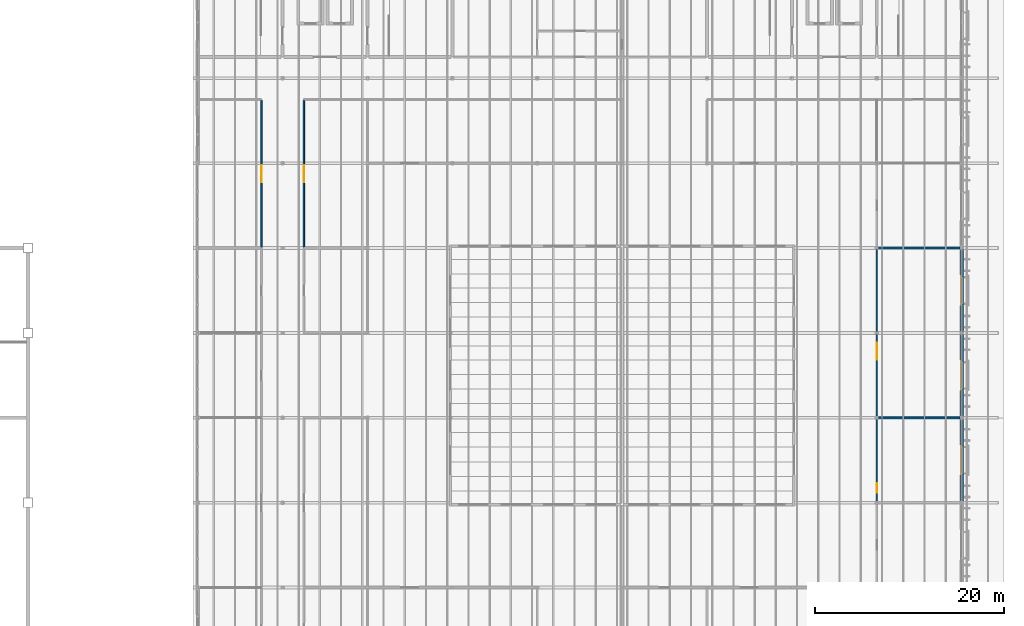
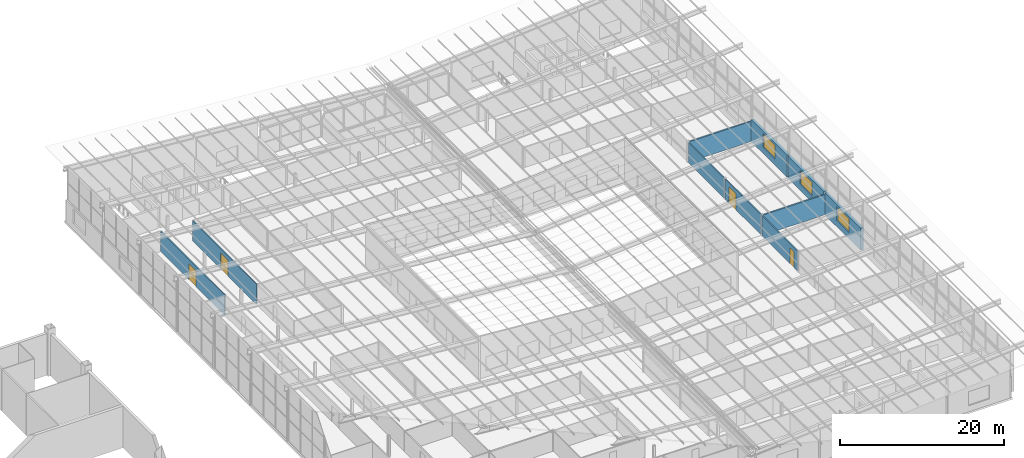
# One storey, part 74 of 85: 10 walls, 4 doors, 3 windows, 7 openings.
"""IFC4 building model written with IfcOpenShell, lengths in metres."""

from ifc_helpers import new_model, si_unit, direction, frame, frame_2d, origin, place, context, subcontext, project, spatial, rectangle, extrude, material, layer, layer_set, type_object, element, fill, save


model = new_model("IFC4")

# Units and contexts
model_context = context("Model", 3, precision=1e-05, world=origin(), true_north=direction((0.0, 1.0)))
body_context = subcontext(model_context, "Body", "Model", "MODEL_VIEW")
ifc_project = project(units=[si_unit("LENGTHUNIT", "METRE"), si_unit("AREAUNIT", "SQUARE_METRE"), si_unit("VOLUMEUNIT", "CUBIC_METRE"), si_unit("PLANEANGLEUNIT", "RADIAN"), si_unit("MASSUNIT", "GRAM", prefix="KILO")], contexts=[model_context])

# Site, building, storey
site_placement = place(None, origin())
site = spatial("IfcSite", under=ifc_project, at=site_placement, CompositionType="ELEMENT")
building_placement = place(site_placement, origin())
building = spatial("IfcBuilding", under=site, at=building_placement, Name="Opaline Strait Convention Centre", CompositionType="ELEMENT")
storey_placement = place(building_placement, frame((0.0, 0.0, 17.0)))
storey = spatial("IfcBuildingStorey", under=building, at=storey_placement, Name="L03", CompositionType="ELEMENT", Elevation=17.0)

# Walls
ifc_material_1 = material(Name="Gypsum board")
ifc_layer_1 = layer(ifc_material_1, 0.050048828125)
ifc_material_2 = material(Name="Steel stud and mineral wool", Category="steel")
ifc_layer_2 = layer(ifc_material_2, 0.10009765625)
ifc_layer_3 = layer(ifc_material_1, 0.050048828125)
ifc_layer_set_1 = layer_set([ifc_layer_1, ifc_layer_2, ifc_layer_3], Name="Gypsum board, Steel stud and mineral wool, Gypsum board")
wall_type_1 = type_object("IfcWallType", Name="Acoustic partition 200 EI45", PredefinedType="PARTITIONING", material=ifc_layer_set_1)
for number, where, z_axis, x_axis, name in (
    (1, (351.14990234375, 135.0, 0.0), (0.0, 0.0, 1.0), (1.0, 0.0, 0.0), "MPW5 partition Breakout Room 3.22 N"),
    (2, (351.14990234375, 153.0, 0.0), (0.0, 0.0, 1.0), (1.0, 0.0, 0.0), "MPW5 partition Meeting Room 3.23 N"),
):
    element("IfcWall", number, at=place(storey_placement, frame(where, z_axis=z_axis, x_axis=x_axis)), inside=storey, type_object=wall_type_1, Name=name, PredefinedType="PARTITIONING", context=body_context, shape_type="SweptSolid", body=[
        extrude(rectangle(XDim=8.7001953125, YDim=0.199951171875, at=frame_2d((4.35009765625, 0.0))), origin(), (0.0, 0.0, 1.0), 3.0),
    ])

# Wall, opening, door
ifc_layer_4 = layer(ifc_material_1, 0.032470703125)
ifc_layer_5 = layer(ifc_material_2, 0.0849609375)
ifc_layer_6 = layer(ifc_material_1, 0.032470703125)
ifc_layer_set_2 = layer_set([ifc_layer_4, ifc_layer_5, ifc_layer_6], Name="Gypsum board, Steel stud and mineral wool, Gypsum board")
wall_type_2 = type_object("IfcWallType", Name="Corridor partition 150 EI60", PredefinedType="PARTITIONING", material=ifc_layer_set_2)
wall_1_placement = place(storey_placement, frame((285.75, 153.10009765625, 0.0), z_axis=(0.0, 0.0, 1.0), x_axis=(0.0, 1.0, 0.0)))
wall_1 = element("IfcWall", 3, at=wall_1_placement, inside=storey, type_object=wall_type_2, Name="MPW1 partition Meeting Room 3.06 E", PredefinedType="PARTITIONING", context=body_context, shape_type="SweptSolid", body=[
    extrude(rectangle(XDim=15.574951171875, YDim=0.14990234375, at=frame_2d((7.78759765625, 0.0))), origin(), (0.0, 0.0, 1.0), 3.0),
])
opening_1_placement = place(wall_1_placement, frame((6.887451171875, 0.0, 0.0)))
opening_1 = element("IfcOpeningElement", 4, at=opening_1_placement, cuts=wall_1, Name="Opening M3-026", PredefinedType="OPENING", context=body_context, shape_type="SweptSolid", body=[
    extrude(rectangle(XDim=1.800048828125, YDim=2.39990234375, at=frame_2d((0.89990234375, 1.199951171875))), frame((0.0, 0.0849609375, 0.0), z_axis=(0.0, -1.0, 0.0), x_axis=(1.0, 0.0, 0.0)), (0.0, 0.0, 1.0), 0.169921875),
])
ifc_material_3 = material(Name="Solid-core timber leaf, steel frame door set", Category="steel")
door_type_1 = type_object("IfcDoorType", Name="Meeting room double door FD30 1800 x 2400", OperationType="DOUBLE_DOOR_SINGLE_SWING", PredefinedType="DOOR", material=ifc_material_3)
door_1_placement = place(opening_1_placement, frame((1.800048828125, 0.0, 0.0), z_axis=(0.0, 0.0, 1.0), x_axis=(-1.0, 0.0, 0.0)))
door_1 = element("IfcDoor", 5, at=door_1_placement, inside=storey, type_object=door_type_1, Name="Door Meeting Room 3.06", ObjectType="MD7", OperationType="DOUBLE_DOOR_SINGLE_SWING", OverallHeight=2.39990234375, OverallWidth=1.800048828125, PredefinedType="DOOR", context=body_context, shape_type="SweptSolid", body=[
    extrude(rectangle(XDim=1.800048828125, YDim=2.39990234375, at=frame_2d((0.89990234375, 1.199951171875))), frame((0.0, 0.02490234375, 0.0), z_axis=(0.0, -1.0, 0.0), x_axis=(1.0, 0.0, 0.0)), (0.0, 0.0, 1.0), 0.050048828125),
])
fill(opening_1, door_1)

wall_2_placement = place(storey_placement, frame((290.25, 153.10009765625, 0.0), z_axis=(0.0, 0.0, 1.0), x_axis=(0.0, 1.0, 0.0)))
wall_2 = element("IfcWall", 6, at=wall_2_placement, inside=storey, type_object=wall_type_2, Name="MPW1 partition Meeting Room 3.11 W", PredefinedType="PARTITIONING", context=body_context, shape_type="SweptSolid", body=[
    extrude(rectangle(XDim=15.574951171875, YDim=0.14990234375, at=frame_2d((7.78759765625, 0.0))), origin(), (0.0, 0.0, 1.0), 3.0),
])
opening_2_placement = place(wall_2_placement, frame((6.887451171875, 0.0, 0.0)))
opening_2 = element("IfcOpeningElement", 7, at=opening_2_placement, cuts=wall_2, Name="Opening M3-031", PredefinedType="OPENING", context=body_context, shape_type="SweptSolid", body=[
    extrude(rectangle(XDim=1.800048828125, YDim=2.39990234375, at=frame_2d((0.89990234375, 1.199951171875))), frame((0.0, 0.0849609375, 0.0), z_axis=(0.0, -1.0, 0.0), x_axis=(1.0, 0.0, 0.0)), (0.0, 0.0, 1.0), 0.169921875),
])
door_2_placement = place(opening_2_placement, origin())
door_2 = element("IfcDoor", 8, at=door_2_placement, inside=storey, type_object=door_type_1, Name="Door Meeting Room 3.11", ObjectType="MD7", OperationType="DOUBLE_DOOR_SINGLE_SWING", OverallHeight=2.39990234375, OverallWidth=1.800048828125, PredefinedType="DOOR", context=body_context, shape_type="SweptSolid", body=[
    extrude(rectangle(XDim=1.800048828125, YDim=2.39990234375, at=frame_2d((0.89990234375, 1.199951171875))), frame((0.0, 0.02490234375, 0.0), z_axis=(0.0, -1.0, 0.0), x_axis=(1.0, 0.0, 0.0)), (0.0, 0.0, 1.0), 0.050048828125),
])
fill(opening_2, door_2)

wall_3_placement = place(storey_placement, frame((351.0, 126.14990234375, 0.0), z_axis=(0.0, 0.0, 1.0), x_axis=(0.0, 1.0, 0.0)))
wall_3 = element("IfcWall", 9, at=wall_3_placement, inside=storey, type_object=wall_type_2, Name="MPW1 partition Breakout Room 3.22 W", PredefinedType="PARTITIONING", context=body_context, shape_type="SweptSolid", body=[
    extrude(rectangle(XDim=8.7001953125, YDim=0.14990234375, at=frame_2d((4.35009765625, 0.0))), origin(), (0.0, 0.0, 1.0), 3.0),
])
opening_3_placement = place(wall_3_placement, frame((0.89990234375, 0.0, 0.0)))
opening_3 = element("IfcOpeningElement", 10, at=opening_3_placement, cuts=wall_3, Name="Opening M3-042", PredefinedType="OPENING", context=body_context, shape_type="SweptSolid", body=[
    extrude(rectangle(XDim=1.0, YDim=2.39990234375, at=frame_2d((0.5, 1.199951171875))), frame((0.0, 0.0849609375, 0.0), z_axis=(0.0, -1.0, 0.0), x_axis=(1.0, 0.0, 0.0)), (0.0, 0.0, 1.0), 0.169921875),
])
door_type_2 = type_object("IfcDoorType", Name="Meeting room door FD30 1000 x 2400", OperationType="SINGLE_SWING_LEFT", PredefinedType="DOOR", material=ifc_material_3)
door_3_placement = place(opening_3_placement, origin())
door_3 = element("IfcDoor", 11, at=door_3_placement, inside=storey, type_object=door_type_2, Name="Door Breakout Room 3.22", ObjectType="MD8", OperationType="SINGLE_SWING_LEFT", OverallHeight=2.39990234375, OverallWidth=1.0, PredefinedType="DOOR", context=body_context, shape_type="SweptSolid", body=[
    extrude(rectangle(XDim=1.0, YDim=2.39990234375, at=frame_2d((0.5, 1.199951171875))), frame((0.0, 0.02490234375, 0.0), z_axis=(0.0, -1.0, 0.0), x_axis=(1.0, 0.0, 0.0)), (0.0, 0.0, 1.0), 0.050048828125),
])
fill(opening_3, door_3)

wall_4_placement = place(storey_placement, frame((351.0, 135.14990234375, 0.0), z_axis=(0.0, 0.0, 1.0), x_axis=(0.0, 1.0, 0.0)))
wall_4 = element("IfcWall", 12, at=wall_4_placement, inside=storey, type_object=wall_type_2, Name="MPW1 partition Meeting Room 3.23 W", PredefinedType="PARTITIONING", context=body_context, shape_type="SweptSolid", body=[
    extrude(rectangle(XDim=8.7001953125, YDim=0.14990234375, at=frame_2d((4.35009765625, 0.0))), origin(), (0.0, 0.0, 1.0), 3.0),
])
opening_4_placement = place(wall_4_placement, frame((6.000244140625, 0.0, 0.0)))
opening_4 = element("IfcOpeningElement", 13, at=opening_4_placement, cuts=wall_4, Name="Opening M3-043", PredefinedType="OPENING", context=body_context, shape_type="SweptSolid", body=[
    extrude(rectangle(XDim=1.800048828125, YDim=2.39990234375, at=frame_2d((0.89990234375, 1.199951171875))), frame((0.0, 0.0849609375, 0.0), z_axis=(0.0, -1.0, 0.0), x_axis=(1.0, 0.0, 0.0)), (0.0, 0.0, 1.0), 0.169921875),
])
door_4_placement = place(opening_4_placement, origin())
door_4 = element("IfcDoor", 14, at=door_4_placement, inside=storey, type_object=door_type_1, Name="Door Meeting Room 3.23", ObjectType="MD7", OperationType="DOUBLE_DOOR_SINGLE_SWING", OverallHeight=2.39990234375, OverallWidth=1.800048828125, PredefinedType="DOOR", context=body_context, shape_type="SweptSolid", body=[
    extrude(rectangle(XDim=1.800048828125, YDim=2.39990234375, at=frame_2d((0.89990234375, 1.199951171875))), frame((0.0, 0.02490234375, 0.0), z_axis=(0.0, -1.0, 0.0), x_axis=(1.0, 0.0, 0.0)), (0.0, 0.0, 1.0), 0.050048828125),
])
fill(opening_4, door_4)

# Wall
wall_5_placement = place(storey_placement, frame((351.0, 144.14990234375, 0.0), z_axis=(0.0, 0.0, 1.0), x_axis=(0.0, 1.0, 0.0)))
element("IfcWall", 15, at=wall_5_placement, inside=storey, type_object=wall_type_2, Name="MPW1 partition Meeting Room 3.23 W", PredefinedType="PARTITIONING", context=body_context, shape_type="SweptSolid", body=[
    extrude(rectangle(XDim=8.7001953125, YDim=0.14990234375, at=frame_2d((4.35009765625, 0.0))), origin(), (0.0, 0.0, 1.0), 3.0),
])

# Wall, opening, window
ifc_material_4 = material(Name="Concrete C40 precast", Category="concrete")
ifc_layer_7 = layer(ifc_material_4, 0.10009765625)
ifc_material_5 = material(Name="Mineral wool insulation")
ifc_layer_8 = layer(ifc_material_5, 0.14990234375)
ifc_layer_9 = layer(ifc_material_4, 0.14990234375)
ifc_layer_set_3 = layer_set([ifc_layer_7, ifc_layer_8, ifc_layer_9], Name="Concrete C40 precast, Mineral wool insulation, Concrete C40 precast")
wall_type_3 = type_object("IfcWallType", Name="External wall 400 insulated precast EI60", PredefinedType="STANDARD", material=ifc_layer_set_3)
wall_6_placement = place(storey_placement, frame((360.0, 126.14990234375, 0.0), z_axis=(0.0, 0.0, 1.0), x_axis=(0.0, 1.0, 0.0)))
wall_6 = element("IfcWall", 16, at=wall_6_placement, inside=storey, type_object=wall_type_3, Name="External wall E L03 41/Q", PredefinedType="STANDARD", context=body_context, shape_type="SweptSolid", body=[
    extrude(rectangle(XDim=8.7001953125, YDim=0.39990234375, at=frame_2d((4.35009765625, 0.0))), origin(), (0.0, 0.0, 1.0), 3.300048828125),
])
opening_5_placement = place(wall_6_placement, frame((2.85009765625, 0.0, 0.89990234375)))
opening_5 = element("IfcOpeningElement", 17, at=opening_5_placement, cuts=wall_6, Name="Opening MW2", PredefinedType="OPENING", context=body_context, shape_type="SweptSolid", body=[
    extrude(rectangle(XDim=3.0, YDim=2.10009765625, at=frame_2d((1.5, 1.050048828125))), frame((0.0, 0.2099609375, 0.0), z_axis=(0.0, -1.0, 0.0), x_axis=(1.0, 0.0, 0.0)), (0.0, 0.0, 1.0), 0.419921875),
])
ifc_material_6 = material(Name="Aluminium framed double glazing", Category="aluminium")
window_type = type_object("IfcWindowType", Name="Window 3000 x 2100", PartitioningType="TRIPLE_PANEL_VERTICAL", PredefinedType="WINDOW", material=ifc_material_6)
window_1_placement = place(opening_5_placement, origin())
window_1 = element("IfcWindow", 18, at=window_1_placement, inside=storey, type_object=window_type, Name="Window Breakout Room 3.22 E", OverallHeight=2.10009765625, OverallWidth=3.0, PartitioningType="TRIPLE_PANEL_VERTICAL", PredefinedType="WINDOW", context=body_context, shape_type="SweptSolid", body=[
    extrude(rectangle(XDim=3.0, YDim=2.10009765625, at=frame_2d((1.5, 1.050048828125))), frame((0.0, 0.030029296875, 0.0), z_axis=(0.0, -1.0, 0.0), x_axis=(1.0, 0.0, 0.0)), (0.0, 0.0, 1.0), 0.06005859375),
])
fill(opening_5, window_1)

wall_7_placement = place(storey_placement, frame((360.0, 135.14990234375, 0.0), z_axis=(0.0, 0.0, 1.0), x_axis=(0.0, 1.0, 0.0)))
wall_7 = element("IfcWall", 19, at=wall_7_placement, inside=storey, type_object=wall_type_3, Name="External wall E L03 41/R", PredefinedType="STANDARD", context=body_context, shape_type="SweptSolid", body=[
    extrude(rectangle(XDim=8.7001953125, YDim=0.39990234375, at=frame_2d((4.35009765625, 0.0))), origin(), (0.0, 0.0, 1.0), 3.300048828125),
])
opening_6_placement = place(wall_7_placement, frame((2.85009765625, 0.0, 0.89990234375)))
opening_6 = element("IfcOpeningElement", 20, at=opening_6_placement, cuts=wall_7, Name="Opening MW2", PredefinedType="OPENING", context=body_context, shape_type="SweptSolid", body=[
    extrude(rectangle(XDim=3.0, YDim=2.10009765625, at=frame_2d((1.5, 1.050048828125))), frame((0.0, 0.2099609375, 0.0), z_axis=(0.0, -1.0, 0.0), x_axis=(1.0, 0.0, 0.0)), (0.0, 0.0, 1.0), 0.419921875),
])
window_2_placement = place(opening_6_placement, origin())
window_2 = element("IfcWindow", 21, at=window_2_placement, inside=storey, type_object=window_type, Name="Window Meeting Room 3.23 E", OverallHeight=2.10009765625, OverallWidth=3.0, PartitioningType="TRIPLE_PANEL_VERTICAL", PredefinedType="WINDOW", context=body_context, shape_type="SweptSolid", body=[
    extrude(rectangle(XDim=3.0, YDim=2.10009765625, at=frame_2d((1.5, 1.050048828125))), frame((0.0, 0.030029296875, 0.0), z_axis=(0.0, -1.0, 0.0), x_axis=(1.0, 0.0, 0.0)), (0.0, 0.0, 1.0), 0.06005859375),
])
fill(opening_6, window_2)

wall_8_placement = place(storey_placement, frame((360.0, 144.14990234375, 0.0), z_axis=(0.0, 0.0, 1.0), x_axis=(0.0, 1.0, 0.0)))
wall_8 = element("IfcWall", 22, at=wall_8_placement, inside=storey, type_object=wall_type_3, Name="External wall E L03 41/S", PredefinedType="STANDARD", context=body_context, shape_type="SweptSolid", body=[
    extrude(rectangle(XDim=8.7001953125, YDim=0.39990234375, at=frame_2d((4.35009765625, 0.0))), origin(), (0.0, 0.0, 1.0), 3.300048828125),
])
opening_7_placement = place(wall_8_placement, frame((2.85009765625, 0.0, 0.89990234375)))
opening_7 = element("IfcOpeningElement", 23, at=opening_7_placement, cuts=wall_8, Name="Opening MW2", PredefinedType="OPENING", context=body_context, shape_type="SweptSolid", body=[
    extrude(rectangle(XDim=3.0, YDim=2.10009765625, at=frame_2d((1.5, 1.050048828125))), frame((0.0, 0.2099609375, 0.0), z_axis=(0.0, -1.0, 0.0), x_axis=(1.0, 0.0, 0.0)), (0.0, 0.0, 1.0), 0.419921875),
])
window_3_placement = place(opening_7_placement, origin())
window_3 = element("IfcWindow", 24, at=window_3_placement, inside=storey, type_object=window_type, Name="Window Meeting Room 3.23 E", OverallHeight=2.10009765625, OverallWidth=3.0, PartitioningType="TRIPLE_PANEL_VERTICAL", PredefinedType="WINDOW", context=body_context, shape_type="SweptSolid", body=[
    extrude(rectangle(XDim=3.0, YDim=2.10009765625, at=frame_2d((1.5, 1.050048828125))), frame((0.0, 0.030029296875, 0.0), z_axis=(0.0, -1.0, 0.0), x_axis=(1.0, 0.0, 0.0)), (0.0, 0.0, 1.0), 0.06005859375),
])
fill(opening_7, window_3)

save(model, "model.ifc")
